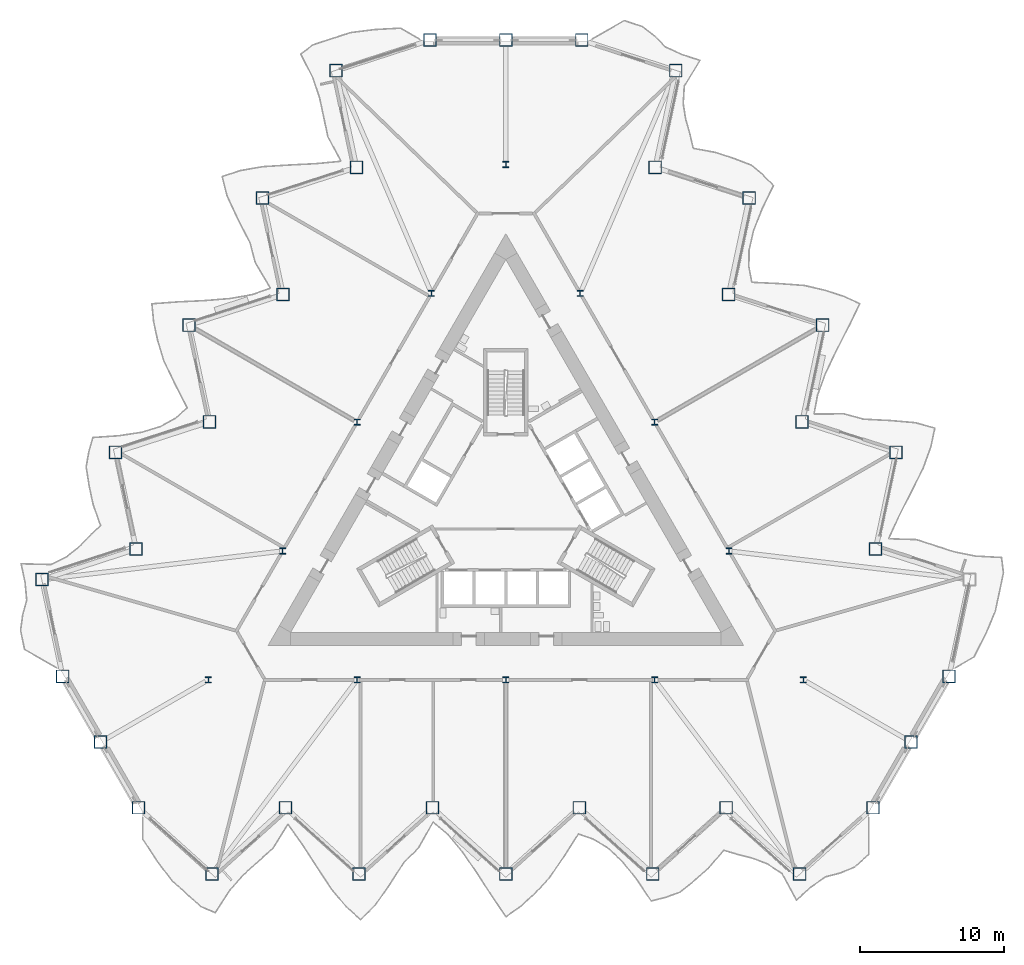
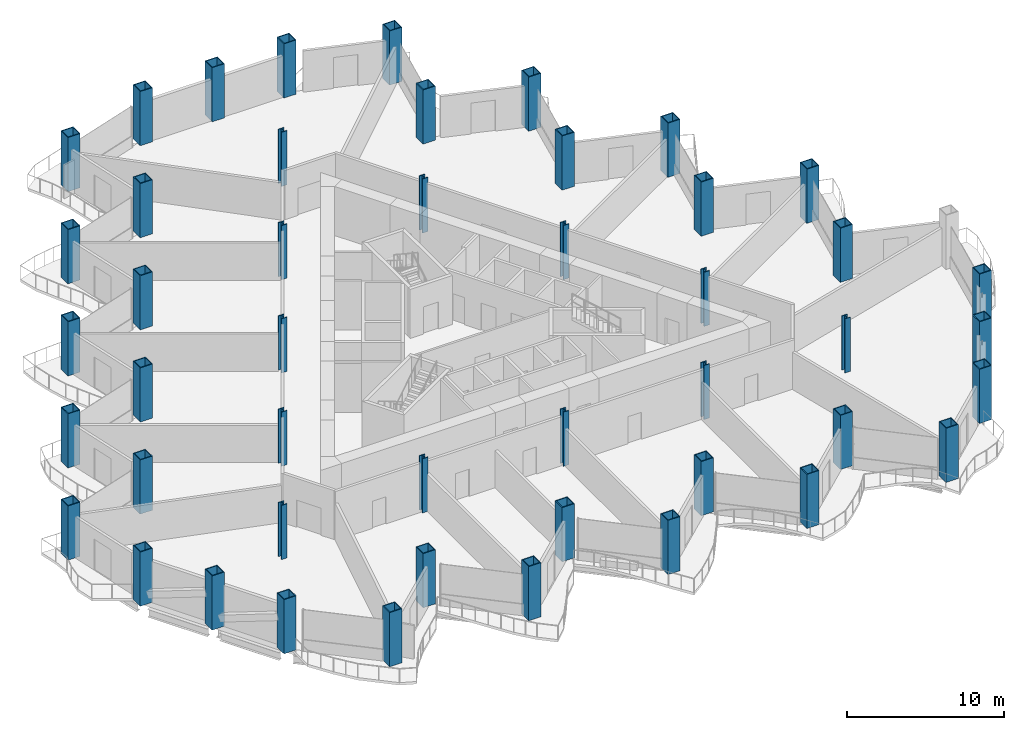
# One storey, part 1 of 21: 47 columns.
"""IFC4 building model written with IfcOpenShell, lengths in metres."""

from ifc_helpers import new_model, si_unit, direction, frame, origin, origin_2d, place, context, subcontext, project, spatial, hollow_rectangle, i_section, extrude, material, material_profile, profile_set, type_object, element, save


model = new_model("IFC4")

# Units and contexts
model_context = context("Model", 3, precision=1e-05, world=origin(), true_north=direction((0.0, 1.0)))
body_context = subcontext(model_context, "Body", "Model", "MODEL_VIEW")
ifc_project = project(units=[si_unit("LENGTHUNIT", "METRE"), si_unit("AREAUNIT", "SQUARE_METRE"), si_unit("VOLUMEUNIT", "CUBIC_METRE"), si_unit("PLANEANGLEUNIT", "RADIAN"), si_unit("MASSUNIT", "GRAM", prefix="KILO")], contexts=[model_context])

# Site, building, storey
site_placement = place(None, origin())
site = spatial("IfcSite", under=ifc_project, at=site_placement, CompositionType="ELEMENT")
building_placement = place(site_placement, origin())
building = spatial("IfcBuilding", under=site, at=building_placement, Name="Cormorant Prow Tower", CompositionType="ELEMENT")
storey_placement = place(building_placement, frame((0.0, 0.0, 133.199951171875)))
storey = spatial("IfcBuildingStorey", under=building, at=storey_placement, Name="L28", CompositionType="ELEMENT", Elevation=133.199951171875)

# Columns
ifc_material_1 = material(Name="Structural steel ASTM A572 Gr 50", Category="steel")
ifc_material_profile_1 = material_profile(ifc_material_1, hollow_rectangle(XDim=0.89990234375, YDim=0.89990234375, WallThickness=0.06005859375, at=origin_2d()), Name="Box 900x900x60")
ifc_profile_set_1 = profile_set([ifc_material_profile_1], Name="Structural steel ASTM A572 Gr 50")
column_type_1 = type_object("IfcColumnType", Name="Perimeter box column 900x900x60", PredefinedType="COLUMN", material=ifc_profile_set_1)
for number, where, z_axis, x_axis, name in (
    (1, (-25.499755859375, -20.80712890625, 0.0), (0.0, 0.0, 1.0), (1.0, 0.0, 0.0), "Perimeter column C3 at S00 L28"),
    (2, (-20.399658203125, -25.399169921875, 0.0), (0.0, 0.0, 1.0), (1.0, 0.0, 0.0), "Perimeter column C3 at S01 L28"),
    (3, (-15.2998046875, -20.80712890625, 0.0), (0.0, 0.0, 1.0), (1.0, 0.0, 0.0), "Perimeter column C3 at S02 L28"),
    (4, (-10.199951171875, -25.399169921875, 0.0), (0.0, 0.0, 1.0), (1.0, 0.0, 0.0), "Perimeter column C3 at S03 L28"),
    (5, (-5.099853515625, -20.80712890625, 0.0), (0.0, 0.0, 1.0), (1.0, 0.0, 0.0), "Perimeter column C3 at S04 L28"),
    (6, (0.0, -25.399169921875, 0.0), (0.0, 0.0, 1.0), (1.0, 0.0, 0.0), "Perimeter column C3 at S05 L28"),
    (7, (5.099853515625, -20.80712890625, 0.0), (0.0, 0.0, 1.0), (1.0, 0.0, 0.0), "Perimeter column C3 at S06 L28"),
    (8, (10.199951171875, -25.399169921875, 0.0), (0.0, 0.0, 1.0), (1.0, 0.0, 0.0), "Perimeter column C3 at S07 L28"),
    (9, (15.2998046875, -20.80712890625, 0.0), (0.0, 0.0, 1.0), (1.0, 0.0, 0.0), "Perimeter column C3 at S08 L28"),
    (10, (20.399658203125, -25.399169921875, 0.0), (0.0, 0.0, 1.0), (1.0, 0.0, 0.0), "Perimeter column C3 at S09 L28"),
    (11, (25.499755859375, -20.80712890625, 0.0), (0.0, 0.0, 1.0), (1.0, 0.0, 0.0), "Perimeter column C3 at ESE00 L28"),
    (12, (28.134521484375, -16.243408203125, 0.0), (0.0, 0.0, 1.0), (1.0, 0.0, 0.0), "Perimeter column C3 at ESE01 L28"),
    (13, (30.769287109375, -11.679931640625, 0.0), (0.0, 0.0, 1.0), (1.0, 0.0, 0.0), "Perimeter column C3 at ENE00 L28"),
    (14, (25.66943359375, -2.846435546875, 0.0), (0.0, 0.0, 1.0), (1.0, 0.0, 0.0), "Perimeter column C3 at ENE02 L28"),
    (15, (27.09619140625, 3.8662109375, 0.0), (0.0, 0.0, 1.0), (1.0, 0.0, 0.0), "Perimeter column C3 at ENE03 L28"),
    (16, (20.569580078125, 5.98681640625, 0.0), (0.0, 0.0, 1.0), (1.0, 0.0, 0.0), "Perimeter column C3 at ENE04 L28"),
    (17, (21.996337890625, 12.699462890625, 0.0), (0.0, 0.0, 1.0), (1.0, 0.0, 0.0), "Perimeter column C3 at ENE05 L28"),
    (18, (15.469482421875, 14.8203125, 0.0), (0.0, 0.0, 1.0), (1.0, 0.0, 0.0), "Perimeter column C3 at ENE06 L28"),
    (19, (16.896240234375, 21.532958984375, 0.0), (0.0, 0.0, 1.0), (1.0, 0.0, 0.0), "Perimeter column C3 at ENE07 L28"),
    (20, (10.36962890625, 23.653564453125, 0.0), (0.0, 0.0, 1.0), (1.0, 0.0, 0.0), "Perimeter column C3 at ENE08 L28"),
    (21, (11.79638671875, 30.3662109375, 0.0), (0.0, 0.0, 1.0), (1.0, 0.0, 0.0), "Perimeter column C3 at ENE09 L28"),
    (22, (5.269775390625, 32.487060546875, 0.0), (0.0, 0.0, 1.0), (1.0, 0.0, 0.0), "Perimeter column C3 at N00 L28"),
    (23, (0.0, 32.487060546875, 0.0), (0.0, 0.0, 1.0), (1.0, 0.0, 0.0), "Perimeter column C3 at N01 L28"),
    (24, (-5.269775390625, 32.487060546875, 0.0), (0.0, 0.0, 1.0), (1.0, 0.0, 0.0), "Perimeter column C3 at WNW00 L28"),
    (25, (-11.79638671875, 30.3662109375, 0.0), (0.0, 0.0, 1.0), (1.0, 0.0, 0.0), "Perimeter column C3 at WNW01 L28"),
    (26, (-10.36962890625, 23.653564453125, 0.0), (0.0, 0.0, 1.0), (1.0, 0.0, 0.0), "Perimeter column C3 at WNW02 L28"),
    (27, (-16.896240234375, 21.532958984375, 0.0), (0.0, 0.0, 1.0), (1.0, 0.0, 0.0), "Perimeter column C3 at WNW03 L28"),
    (28, (-15.469482421875, 14.8203125, 0.0), (0.0, 0.0, 1.0), (1.0, 0.0, 0.0), "Perimeter column C3 at WNW04 L28"),
    (29, (-21.996337890625, 12.699462890625, 0.0), (0.0, 0.0, 1.0), (1.0, 0.0, 0.0), "Perimeter column C3 at WNW05 L28"),
    (30, (-20.569580078125, 5.98681640625, 0.0), (0.0, 0.0, 1.0), (1.0, 0.0, 0.0), "Perimeter column C3 at WNW06 L28"),
    (31, (-27.09619140625, 3.8662109375, 0.0), (0.0, 0.0, 1.0), (1.0, 0.0, 0.0), "Perimeter column C3 at WNW07 L28"),
    (32, (-25.66943359375, -2.846435546875, 0.0), (0.0, 0.0, 1.0), (1.0, 0.0, 0.0), "Perimeter column C3 at WNW08 L28"),
    (33, (-32.1962890625, -4.967041015625, 0.0), (0.0, 0.0, 1.0), (1.0, 0.0, 0.0), "Perimeter column C3 at WNW09 L28"),
    (34, (-30.769287109375, -11.679931640625, 0.0), (0.0, 0.0, 1.0), (1.0, 0.0, 0.0), "Perimeter column C3 at WSW00 L28"),
    (35, (-28.134521484375, -16.243408203125, 0.0), (0.0, 0.0, 1.0), (1.0, 0.0, 0.0), "Perimeter column C3 at WSW01 L28"),
):
    element("IfcColumn", number, at=place(storey_placement, frame(where, z_axis=z_axis, x_axis=x_axis)), inside=storey, type_object=column_type_1, Name=name, PredefinedType="COLUMN", context=body_context, shape_type="SweptSolid", body=[
        extrude(hollow_rectangle(XDim=0.89990234375, YDim=0.89990234375, WallThickness=0.06005859375, at=origin_2d()), origin(), (0.0, 0.0, 1.0), 4.199951171875),
    ])
ifc_material_2 = material(Name="Structural steel ASTM A992 Gr 50", Category="steel")
ifc_material_profile_2 = material_profile(ifc_material_2, i_section(OverallWidth=0.412109375, OverallDepth=0.434814453125, WebThickness=0.035888671875, FlangeThickness=0.057373046875, at=origin_2d()), Name="W14x311")
ifc_profile_set_2 = profile_set([ifc_material_profile_2], Name="Structural steel ASTM A992 Gr 50")
column_type_2 = type_object("IfcColumnType", Name="Ring column W14x311", PredefinedType="COLUMN", material=ifc_profile_set_2)
for number, where, z_axis, x_axis, name in (
    (36, (0.0, 23.8525390625, 0.0), (0.0, 0.0, 1.0), (1.0, 0.0, 0.0), "Ring column 1 L28"),
    (37, (-5.164306640625, 14.907958984375, 0.0), (0.0, 0.0, 1.0), (1.0, 0.0, 0.0), "Ring column 2 L28"),
    (38, (-10.328369140625, 5.963134765625, 0.0), (0.0, 0.0, 1.0), (1.0, 0.0, 0.0), "Ring column 3 L28"),
    (39, (-15.49267578125, -2.981689453125, 0.0), (0.0, 0.0, 1.0), (1.0, 0.0, 0.0), "Ring column 4 L28"),
    (40, (-20.656982421875, -11.92626953125, 0.0), (0.0, 0.0, 1.0), (1.0, 0.0, 0.0), "Ring column 5 L28"),
    (41, (-10.328369140625, -11.92626953125, 0.0), (0.0, 0.0, 1.0), (1.0, 0.0, 0.0), "Ring column 6 L28"),
    (42, (0.0, -11.92626953125, 0.0), (0.0, 0.0, 1.0), (1.0, 0.0, 0.0), "Ring column 7 L28"),
    (43, (10.328369140625, -11.92626953125, 0.0), (0.0, 0.0, 1.0), (1.0, 0.0, 0.0), "Ring column 8 L28"),
    (44, (20.656982421875, -11.92626953125, 0.0), (0.0, 0.0, 1.0), (1.0, 0.0, 0.0), "Ring column 9 L28"),
    (45, (15.49267578125, -2.981689453125, 0.0), (0.0, 0.0, 1.0), (1.0, 0.0, 0.0), "Ring column 10 L28"),
    (46, (10.328369140625, 5.963134765625, 0.0), (0.0, 0.0, 1.0), (1.0, 0.0, 0.0), "Ring column 11 L28"),
    (47, (5.164306640625, 14.907958984375, 0.0), (0.0, 0.0, 1.0), (1.0, 0.0, 0.0), "Ring column 12 L28"),
):
    element("IfcColumn", number, at=place(storey_placement, frame(where, z_axis=z_axis, x_axis=x_axis)), inside=storey, type_object=column_type_2, Name=name, PredefinedType="COLUMN", context=body_context, shape_type="SweptSolid", body=[
        extrude(i_section(OverallWidth=0.412109375, OverallDepth=0.434814453125, WebThickness=0.035888671875, FlangeThickness=0.057373046875, at=origin_2d()), origin(), (0.0, 0.0, 1.0), 4.199951171875),
    ])

save(model, "model.ifc")
